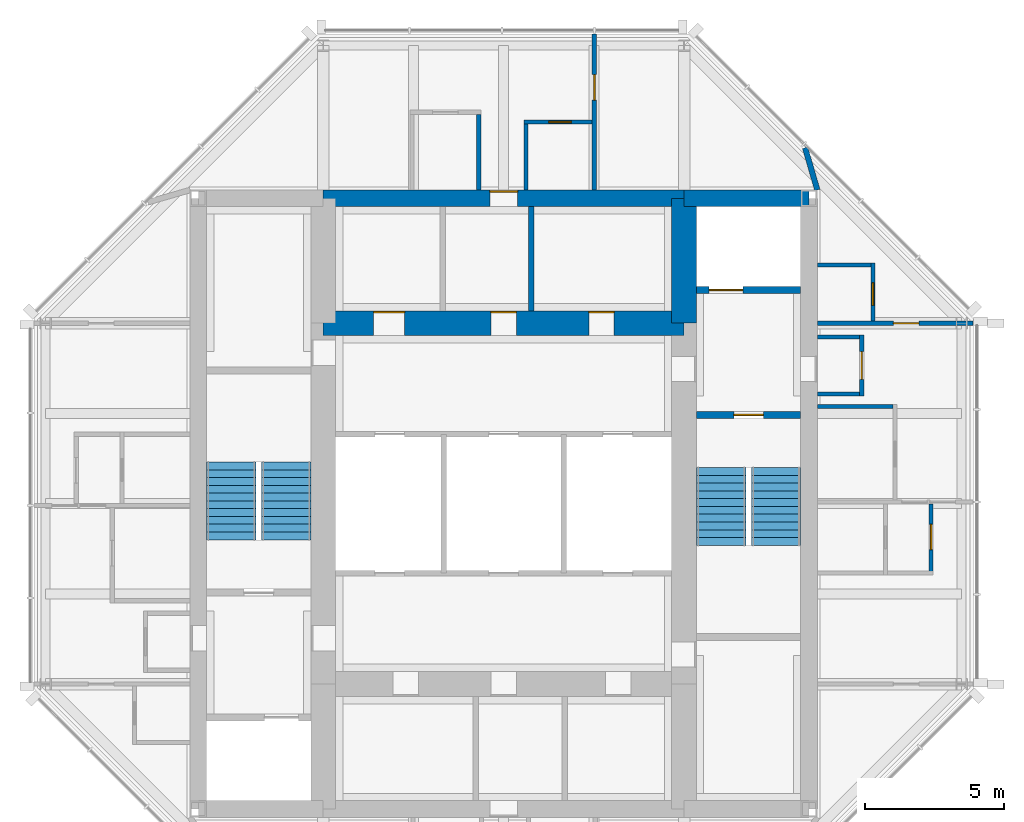
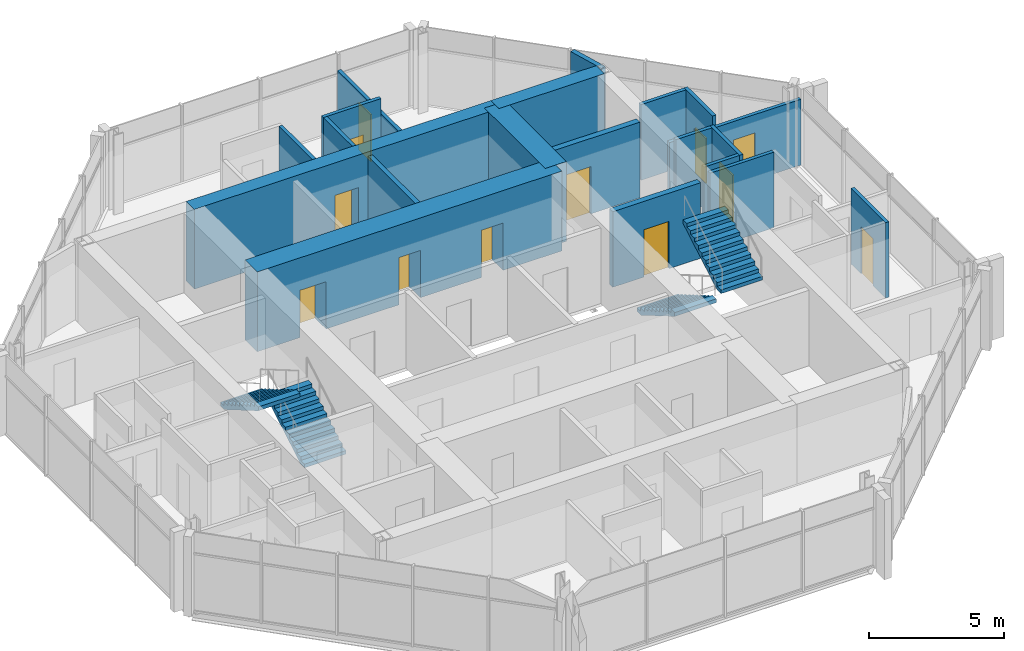
# One storey, part 7 of 9: 20 walls, 12 doors, 4 stair flights, 12 openings, 2 elements without a shape of their own.
"""IFC4 building model written with IfcOpenShell, lengths in metres."""

import ifcopenshell
import ifcopenshell.guid

model = None  # the IFC model being written
_history = None  # IfcOwnerHistory: only IFC2X3 demands one
_inside = {}  # id of a spatial element -> (the spatial element, [elements in it])
_under = {}  # id of a project, library or spatial element -> (it, [spatial elements below it])
_declared = {}  # id of a project -> (the project, [libraries it declares])
_typed = {}  # id of a type object -> (the type object, [elements of that type])
_made_of = {}  # id of a material, layer set ... -> (it, [elements and type objects made of it])


def new_model(schema):
    """Start an empty IFC model of exactly this schema.

    Asked for "IFC4X3", IfcOpenShell would pick the latest addendum, in which some entities
    have other attributes; the version numbers below select the first issue.
    IFC2X3 requires an IfcOwnerHistory on every rooted entity: one is made here for all.
    """
    global model, _history
    if schema == "IFC4X3":
        model = ifcopenshell.file(schema_version=(4, 3, 0, 0))
    else:
        model = ifcopenshell.file(schema=schema)
    _inside.clear()
    _under.clear()
    _declared.clear()
    _typed.clear()
    _made_of.clear()
    _history = None
    if model.schema == "IFC2X3":
        org = make("IfcOrganization", Name="unknown")
        user = make(
            "IfcPersonAndOrganization",
            ThePerson=make("IfcPerson", FamilyName="unknown"),
            TheOrganization=org,
        )
        app = make(
            "IfcApplication",
            ApplicationDeveloper=org,
            Version="unknown",
            ApplicationFullName="unknown",
            ApplicationIdentifier="unknown",
        )
        _history = make(
            "IfcOwnerHistory",
            OwningUser=user,
            OwningApplication=app,
            ChangeAction="ADDED",
            CreationDate=0,
        )
    return model


def make(cls, **values):
    """One entity of the class cls with the attributes given. An attribute that is None is left unset."""
    return model.create_entity(
        cls, **{name: value for name, value in values.items() if value is not None}
    )


def rooted(cls, **values):
    """An entity with a GlobalId (a new one), such as an element, a storey or a relation."""
    return make(cls, GlobalId=ifcopenshell.guid.new(), OwnerHistory=_history, **values)


def si_unit(unit_type, name, prefix=None):
    """IfcSIUnit, for example si_unit("LENGTHUNIT", "METRE", prefix="MILLI")."""
    return make("IfcSIUnit", UnitType=unit_type, Prefix=prefix, Name=name)


def assignment(units):
    """IfcUnitAssignment: the units of a project."""
    return None if units is None else make("IfcUnitAssignment", Units=units)


def point(xyz):
    """IfcCartesianPoint."""
    return None if xyz is None else make("IfcCartesianPoint", Coordinates=xyz)


def direction(xyz):
    """IfcDirection."""
    return None if xyz is None else make("IfcDirection", DirectionRatios=xyz)


def frame(location, z_axis=None, x_axis=None):
    """IfcAxis2Placement3D, a coordinate frame: its origin and axes. An axis left out is left unset."""
    return make(
        "IfcAxis2Placement3D",
        Location=point(location),
        Axis=direction(z_axis),
        RefDirection=direction(x_axis),
    )


def frame_2d(location, x_axis=None):
    """IfcAxis2Placement2D, a coordinate frame in the plane: its origin and x axis."""
    return make(
        "IfcAxis2Placement2D", Location=point(location), RefDirection=direction(x_axis)
    )


def origin():
    """The frame at (0, 0, 0) with its axes left unset."""
    return frame((0.0, 0.0, 0.0))


def place(relative_to, where):
    """IfcLocalPlacement: puts the frame where relative to a parent placement (None: the world)."""
    return make(
        "IfcLocalPlacement", PlacementRelTo=relative_to, RelativePlacement=where
    )


def context(
    kind, dimensions, precision=None, world=None, true_north=None, identifier=None
):
    """IfcGeometricRepresentationContext, for example the 3D "Model" context."""
    return make(
        "IfcGeometricRepresentationContext",
        ContextIdentifier=identifier,
        ContextType=kind,
        CoordinateSpaceDimension=dimensions,
        Precision=precision,
        WorldCoordinateSystem=world,
        TrueNorth=true_north,
    )


def subcontext(parent, identifier, kind, view, scale=None):
    """IfcGeometricRepresentationSubContext, for example "Body" below "Model"."""
    return make(
        "IfcGeometricRepresentationSubContext",
        ContextIdentifier=identifier,
        ContextType=kind,
        ParentContext=parent,
        TargetScale=scale,
        TargetView=view,
    )


def project(units=None, contexts=None):
    """IfcProject with its units and contexts."""
    return rooted(
        "IfcProject",
        Name="project",
        RepresentationContexts=contexts,
        UnitsInContext=assignment(units),
    )


def spatial(cls, under=None, at=None, **own):
    """A site, building, storey or space (cls), placed at a placement, below another one or the project."""
    s = rooted(cls, ObjectPlacement=at, **own)
    if under is not None:
        _under.setdefault(under.id(), (under, []))[1].append(s)
    return s


def polyline(points):
    """IfcPolyline through the points."""
    return make("IfcPolyline", Points=[point(p) for p in points])


def profile(cls, at=None, kind="AREA", **sizes):
    """A parametric profile (cls). Its sizes go by their IFC names, for example OverallWidth=200.0."""
    return make(cls, ProfileType=kind, Position=at, **sizes)


def rectangle(**sizes):
    """IfcRectangleProfileDef."""
    return profile("IfcRectangleProfileDef", **sizes)


def outline(outer, holes=None, kind="AREA"):
    """IfcArbitraryClosedProfileDef: a profile drawn as a closed curve; with holes, ...WithVoids."""
    if holes is None:
        return make("IfcArbitraryClosedProfileDef", ProfileType=kind, OuterCurve=outer)
    return make(
        "IfcArbitraryProfileDefWithVoids",
        ProfileType=kind,
        OuterCurve=outer,
        InnerCurves=holes,
    )


def extrude(swept, where, along, depth):
    """IfcExtrudedAreaSolid: the profile swept, set in the frame where, extruded along a direction by depth."""
    return make(
        "IfcExtrudedAreaSolid",
        SweptArea=swept,
        Position=where,
        ExtrudedDirection=direction(along),
        Depth=depth,
    )


def shape(context_of_items, identifier, shape_type, items):
    """IfcShapeRepresentation: the items that make up one representation, for example the "Body"."""
    return make(
        "IfcShapeRepresentation",
        ContextOfItems=context_of_items,
        RepresentationIdentifier=identifier,
        RepresentationType=shape_type,
        Items=items,
    )


def material(Name=None, Category=None):
    """IfcMaterial."""
    return make("IfcMaterial", Name=Name, Category=Category)


def layer(
    of_material, thickness, ventilated=None, Name=None, Category=None, Priority=None
):
    """IfcMaterialLayer: one layer of a wall or slab, of a material (None: an air gap)."""
    return make(
        "IfcMaterialLayer",
        Material=of_material,
        LayerThickness=thickness,
        IsVentilated=ventilated,
        Name=Name,
        Category=Category,
        Priority=Priority,
    )


def layer_set(layers, Name=None):
    """IfcMaterialLayerSet."""
    return make("IfcMaterialLayerSet", MaterialLayers=layers, LayerSetName=Name)


def made_of(thing, what):
    """Note that an element or type object is made of a material, layer set ...; save() writes the relation."""
    if what is not None:
        _made_of.setdefault(what.id(), (what, []))[1].append(thing)
    return thing


def type_object(cls, material=None, **own):
    """A type object (cls), such as IfcWallType, which elements share."""
    return made_of(rooted(cls, **own), material)


def element(
    cls,
    number,
    at=None,
    inside=None,
    cuts=None,
    type_object=None,
    material=None,
    context=None,
    identifier="Body",
    shape_type=None,
    held_by="IfcProductDefinitionShape",
    body=None,
    shapes=None,
    **own,
):
    """One element of the class cls, such as IfcWall. Its Tag is "e" and its number.

    at: its placement. inside: the storey or other place that contains it. cuts: it is an
    opening in that element (IfcRelVoidsElement). A single representation is given by context,
    identifier, shape_type and body (its items); several are given by shapes. held_by: the class
    of the entity that holds the representations. save() writes the other relations.
    """
    e = rooted(cls, Tag="e%d" % number, ObjectPlacement=at, **own)
    if body is not None:
        shapes = [shape(context, identifier, shape_type, body)]
    if shapes is not None:
        e.Representation = make(held_by, Representations=shapes)
    if inside is not None:
        _inside.setdefault(inside.id(), (inside, []))[1].append(e)
    if cuts is not None:
        rooted(
            "IfcRelVoidsElement", RelatingBuildingElement=cuts, RelatedOpeningElement=e
        )
    if type_object is not None:
        _typed.setdefault(type_object.id(), (type_object, []))[1].append(e)
    return made_of(e, material)


def fill(opening, filler):
    """IfcRelFillsElement: the door or window that sits in an opening."""
    return rooted(
        "IfcRelFillsElement",
        RelatingOpeningElement=opening,
        RelatedBuildingElement=filler,
    )


def aggregate(whole, parts):
    """IfcRelAggregates: a whole, such as a stair, and the parts it consists of."""
    return rooted("IfcRelAggregates", RelatingObject=whole, RelatedObjects=parts)


def save(model, path):
    """Write the relations noted so far, then the file.

    IfcRelAggregates (storeys below a building ...), IfcRelContainedInSpatialStructure (elements
    in a storey), IfcRelDefinesByType, IfcRelAssociatesMaterial and IfcRelDeclares: one each for
    every whole, place, type object, material and project.
    """
    for whole, parts in _under.values():
        aggregate(whole, parts)
    for where, things in _inside.values():
        rooted(
            "IfcRelContainedInSpatialStructure",
            RelatedElements=things,
            RelatingStructure=where,
        )
    for kind, things in _typed.values():
        rooted("IfcRelDefinesByType", RelatedObjects=things, RelatingType=kind)
    for what, things in _made_of.values():
        rooted("IfcRelAssociatesMaterial", RelatedObjects=things, RelatingMaterial=what)
    for by, libraries in _declared.values():
        rooted("IfcRelDeclares", RelatingContext=by, RelatedDefinitions=libraries)
    model.write(path)


model = new_model("IFC4")

# Units and contexts
model_context = context("Model", 3, precision=1e-05, world=origin(), true_north=direction((0.0, 1.0)))
body_context = subcontext(model_context, "Body", "Model", "MODEL_VIEW")
ifc_project = project(units=[si_unit("LENGTHUNIT", "METRE"), si_unit("AREAUNIT", "SQUARE_METRE"), si_unit("VOLUMEUNIT", "CUBIC_METRE"), si_unit("PLANEANGLEUNIT", "RADIAN"), si_unit("MASSUNIT", "GRAM", prefix="KILO")], contexts=[model_context])

# Site, building, storey
site_placement = place(None, origin())
site = spatial("IfcSite", under=ifc_project, at=site_placement, CompositionType="ELEMENT")
building_placement = place(site_placement, origin())
building = spatial("IfcBuilding", under=site, at=building_placement, Name="Trevanion Tower", CompositionType="ELEMENT")
storey_placement = place(building_placement, frame((0.0, 0.0, 277.60009765625)))
storey = spatial("IfcBuildingStorey", under=building, at=storey_placement, Name="L68", CompositionType="ELEMENT", Elevation=277.60009765625)

# Wall
ifc_material_1 = material(Name="Concrete 10,000 psi", Category="concrete")
ifc_layer_1 = layer(ifc_material_1, 0.60009765625)
ifc_layer_set_1 = layer_set([ifc_layer_1], Name="CW1 core wall 600")
wall_type_1 = type_object("IfcWallType", Name="CW1 core wall 600", PredefinedType="SHEAR", material=ifc_layer_set_1)
wall_1_placement = place(storey_placement, frame((11.0, 11.0, 0.0), z_axis=(0.0, 0.0, 1.0), x_axis=(-1.0, 0.0, 0.0)))
element("IfcWall", 1, at=wall_1_placement, inside=storey, type_object=wall_type_1, Name="CW1 CN1 L68", PredefinedType="SHEAR", context=body_context, shape_type="SweptSolid", body=[
    extrude(rectangle(XDim=4.5, YDim=0.60009765625, at=frame_2d((2.25, 0.0))), origin(), (0.0, 0.0, 1.0), 3.599853515625),
])

# Wall, opening, door
wall_2_placement = place(storey_placement, frame((6.5, 11.0, 0.0), z_axis=(0.0, 0.0, 1.0), x_axis=(-1.0, 0.0, 0.0)))
wall_2 = element("IfcWall", 2, at=wall_2_placement, inside=storey, type_object=wall_type_1, Name="CW1 CN2 L68", PredefinedType="SHEAR", context=body_context, shape_type="SweptSolid", body=[
    extrude(rectangle(XDim=13.0, YDim=0.60009765625, at=frame_2d((6.5, 0.0))), origin(), (0.0, 0.0, 1.0), 3.599853515625),
])
opening_1_placement = place(wall_2_placement, frame((6.0, 0.0, 0.0)))
opening_1 = element("IfcOpeningElement", 3, at=opening_1_placement, cuts=wall_2, Name="Opening 68-018", PredefinedType="OPENING", context=body_context, shape_type="SweptSolid", body=[
    extrude(rectangle(XDim=1.0, YDim=2.134033203125, at=frame_2d((0.5, 1.06689453125))), frame((0.0, 0.31005859375, 0.0), z_axis=(0.0, -1.0, 0.0), x_axis=(1.0, 0.0, 0.0)), (0.0, 0.0, 1.0), 0.6201171875),
])
ifc_material_2 = material(Name="Timber veneer on steel frame, fire rated", Category="steel")
door_type_1 = type_object("IfcDoorType", Name="D13 residence entrance door", OperationType="SINGLE_SWING_RIGHT", PredefinedType="DOOR", material=ifc_material_2)
door_1_placement = place(opening_1_placement, origin())
door_1 = element("IfcDoor", 4, at=door_1_placement, inside=storey, type_object=door_type_1, Name="Door 68-018", OperationType="SINGLE_SWING_RIGHT", OverallHeight=2.134033203125, OverallWidth=1.0, PredefinedType="DOOR", context=body_context, shape_type="SweptSolid", body=[
    extrude(rectangle(XDim=1.0, YDim=2.134033203125, at=frame_2d((0.5, 1.06689453125))), frame((0.0, -0.22509765625, 0.0), z_axis=(0.0, -1.0, 0.0), x_axis=(1.0, 0.0, 0.0)), (0.0, 0.0, 1.0), 0.050048828125),
])
fill(opening_1, door_1)

# Wall
ifc_material_3 = material(Name="Concrete 10,000 psi", Category="concrete")
ifc_layer_2 = layer(ifc_material_3, 0.89990234375)
ifc_layer_set_2 = layer_set([ifc_layer_2], Name="CW2 core wall 900")
wall_type_2 = type_object("IfcWallType", Name="CW2 core wall 900", PredefinedType="SHEAR", material=ifc_layer_set_2)
wall_3_placement = place(storey_placement, frame((6.5, 6.5, 0.0), z_axis=(0.0, 0.0, 1.0), x_axis=(0.0, 1.0, 0.0)))
element("IfcWall", 5, at=wall_3_placement, inside=storey, type_object=wall_type_2, Name="CW2 RE3 L68", PredefinedType="SHEAR", context=body_context, shape_type="SweptSolid", body=[
    extrude(rectangle(XDim=4.5, YDim=0.89990234375, at=frame_2d((2.25, 0.0))), origin(), (0.0, 0.0, 1.0), 3.599853515625),
])

# Wall, openings, doors
wall_4_placement = place(storey_placement, frame((6.5, 6.5, 0.0), z_axis=(0.0, 0.0, 1.0), x_axis=(-1.0, 0.0, 0.0)))
wall_4 = element("IfcWall", 6, at=wall_4_placement, inside=storey, type_object=wall_type_2, Name="CW2 RN L68", PredefinedType="SHEAR", context=body_context, shape_type="SweptSolid", body=[
    extrude(rectangle(XDim=13.0, YDim=0.89990234375, at=frame_2d((6.5, 0.0))), origin(), (0.0, 0.0, 1.0), 3.599853515625),
])
opening_2_placement = place(wall_4_placement, frame((6.04248046875, 0.0, 0.0)))
opening_2 = element("IfcOpeningElement", 7, at=opening_2_placement, cuts=wall_4, Name="Opening 68-017", PredefinedType="OPENING", context=body_context, shape_type="SweptSolid", body=[
    extrude(rectangle(XDim=0.9150390625, YDim=2.134033203125, at=frame_2d((0.45751953125, 1.06689453125))), frame((0.0, 0.4599609375, 0.0), z_axis=(0.0, -1.0, 0.0), x_axis=(1.0, 0.0, 0.0)), (0.0, 0.0, 1.0), 0.919921875),
])
opening_3_placement = place(wall_4_placement, frame((10.06591796875, 0.0, 0.0)))
opening_3 = element("IfcOpeningElement", 8, at=opening_3_placement, cuts=wall_4, Name="Opening 68-019", PredefinedType="OPENING", context=body_context, shape_type="SweptSolid", body=[
    extrude(rectangle(XDim=1.117919921875, YDim=2.134033203125, at=frame_2d((0.55908203125, 1.06689453125))), frame((0.0, 0.4599609375, 0.0), z_axis=(0.0, -1.0, 0.0), x_axis=(1.0, 0.0, 0.0)), (0.0, 0.0, 1.0), 0.919921875),
])
opening_4_placement = place(wall_4_placement, frame((2.517578125, 0.0, 0.0)))
opening_4 = element("IfcOpeningElement", 9, at=opening_4_placement, cuts=wall_4, Name="Opening 68-020", PredefinedType="OPENING", context=body_context, shape_type="SweptSolid", body=[
    extrude(rectangle(XDim=0.9150390625, YDim=2.134033203125, at=frame_2d((0.45751953125, 1.06689453125))), frame((0.0, 0.4599609375, 0.0), z_axis=(0.0, -1.0, 0.0), x_axis=(1.0, 0.0, 0.0)), (0.0, 0.0, 1.0), 0.919921875),
])
ifc_material_4 = material(Name="Hollow metal, fire rated", Category="steel")
door_type_2 = type_object("IfcDoorType", Name="D16 refuse room door", OperationType="SINGLE_SWING_RIGHT", PredefinedType="DOOR", material=ifc_material_4)
door_2_placement = place(opening_3_placement, origin())
door_2 = element("IfcDoor", 10, at=door_2_placement, inside=storey, type_object=door_type_2, Name="Door 68-019", OperationType="SINGLE_SWING_RIGHT", OverallHeight=2.134033203125, OverallWidth=1.117919921875, PredefinedType="DOOR", context=body_context, shape_type="SweptSolid", body=[
    extrude(rectangle(XDim=1.117919921875, YDim=2.134033203125, at=frame_2d((0.55908203125, 1.06689453125))), frame((0.0, -0.375, 0.0), z_axis=(0.0, -1.0, 0.0), x_axis=(1.0, 0.0, 0.0)), (0.0, 0.0, 1.0), 0.050048828125),
])
fill(opening_3, door_2)
ifc_material_5 = material(Name="Hollow metal, fire rated", Category="steel")
door_type_3 = type_object("IfcDoorType", Name="D3 fire lift lobby door", OperationType="SINGLE_SWING_RIGHT", PredefinedType="DOOR", material=ifc_material_5)
door_3_placement = place(opening_2_placement, origin())
door_3 = element("IfcDoor", 11, at=door_3_placement, inside=storey, type_object=door_type_3, Name="Door 68-017", OperationType="SINGLE_SWING_RIGHT", OverallHeight=2.134033203125, OverallWidth=0.9150390625, PredefinedType="DOOR", context=body_context, shape_type="SweptSolid", body=[
    extrude(rectangle(XDim=0.9150390625, YDim=2.134033203125, at=frame_2d((0.45751953125, 1.06689453125))), frame((0.0, -0.375, 0.0), z_axis=(0.0, -1.0, 0.0), x_axis=(1.0, 0.0, 0.0)), (0.0, 0.0, 1.0), 0.050048828125),
])
fill(opening_2, door_3)
ifc_material_6 = material(Name="Hollow metal, fire rated", Category="steel")
door_type_4 = type_object("IfcDoorType", Name="D5 service room door", OperationType="SINGLE_SWING_RIGHT", PredefinedType="DOOR", material=ifc_material_6)
door_4_placement = place(opening_4_placement, origin())
door_4 = element("IfcDoor", 12, at=door_4_placement, inside=storey, type_object=door_type_4, Name="Door 68-020", OperationType="SINGLE_SWING_RIGHT", OverallHeight=2.134033203125, OverallWidth=0.9150390625, PredefinedType="DOOR", context=body_context, shape_type="SweptSolid", body=[
    extrude(rectangle(XDim=0.9150390625, YDim=2.134033203125, at=frame_2d((0.45751953125, 1.06689453125))), frame((0.0, -0.375, 0.0), z_axis=(0.0, -1.0, 0.0), x_axis=(1.0, 0.0, 0.0)), (0.0, 0.0, 1.0), 0.050048828125),
])
fill(opening_4, door_4)

# Wall, opening, door
ifc_material_7 = material(Name="Gypsum board on steel studs", Category="steel")
ifc_layer_3 = layer(ifc_material_7, 0.14990234375)
ifc_layer_set_3 = layer_set([ifc_layer_3], Name="PT1 partition 150")
wall_type_3 = type_object("IfcWallType", Name="PT1 partition 150", PredefinedType="PARTITIONING", material=ifc_layer_set_3)
wall_5_placement = place(storey_placement, frame((11.300048828125, 6.5, 0.0), z_axis=(0.0, 0.0, 1.0), x_axis=(1.0, 0.0, 0.0)))
wall_5 = element("IfcWall", 13, at=wall_5_placement, inside=storey, type_object=wall_type_3, Name="PT1 L68 REC2", PredefinedType="PARTITIONING", context=body_context, shape_type="SweptSolid", body=[
    extrude(rectangle(XDim=5.614990234375, YDim=0.14990234375, at=frame_2d((2.8076171875, 0.0))), origin(), (0.0, 0.0, 1.0), 2.965576171875),
])
opening_5_placement = place(wall_5_placement, frame((2.742431640625, 0.0, 0.0)))
opening_5 = element("IfcOpeningElement", 14, at=opening_5_placement, cuts=wall_5, Name="Opening 68-033", PredefinedType="OPENING", context=body_context, shape_type="SweptSolid", body=[
    extrude(rectangle(XDim=0.9150390625, YDim=2.134033203125, at=frame_2d((0.45751953125, 1.06689453125))), frame((0.0, 0.0849609375, 0.0), z_axis=(0.0, -1.0, 0.0), x_axis=(1.0, 0.0, 0.0)), (0.0, 0.0, 1.0), 0.169921875),
])
ifc_material_8 = material(Name="Timber veneer, solid core", Category="wood")
door_type_5 = type_object("IfcDoorType", Name="D1 office and meeting room door", OperationType="SINGLE_SWING_LEFT", PredefinedType="DOOR", material=ifc_material_8)
door_5_placement = place(opening_5_placement, origin())
door_5 = element("IfcDoor", 15, at=door_5_placement, inside=storey, type_object=door_type_5, Name="Door 68-033", OperationType="SINGLE_SWING_LEFT", OverallHeight=2.134033203125, OverallWidth=0.9150390625, PredefinedType="DOOR", context=body_context, shape_type="SweptSolid", body=[
    extrude(rectangle(XDim=0.9150390625, YDim=2.134033203125, at=frame_2d((0.45751953125, 1.06689453125))), frame((0.0, 0.02490234375, 0.0), z_axis=(0.0, -1.0, 0.0), x_axis=(1.0, 0.0, 0.0)), (0.0, 0.0, 1.0), 0.050048828125),
])
fill(opening_5, door_5)

# Walls
for number, where, z_axis, x_axis, name in (
    (16, (11.300048828125, 3.949951171875, 0.0), (0.0, 0.0, 1.0), (1.0, 0.0, 0.0), "PT1 L68 REEA"),
    (17, (11.300048828125, 6.0, 0.0), (0.0, 0.0, 1.0), (1.0, 0.0, 0.0), "PT1 L68 REEB"),
):
    element("IfcWall", number, at=place(storey_placement, frame(where, z_axis=z_axis, x_axis=x_axis)), inside=storey, type_object=wall_type_3, Name=name, PredefinedType="PARTITIONING", context=body_context, shape_type="SweptSolid", body=[
        extrude(rectangle(XDim=1.52490234375, YDim=0.14990234375, at=frame_2d((0.762451171875, 0.0))), origin(), (0.0, 0.0, 1.0), 3.409912109375),
    ])
wall_6_placement = place(storey_placement, frame((11.300048828125, 3.5, 0.0), z_axis=(0.0, 0.0, 1.0), x_axis=(1.0, 0.0, 0.0)))
element("IfcWall", 18, at=wall_6_placement, inside=storey, type_object=wall_type_3, Name="PT1 L68 REKB", PredefinedType="PARTITIONING", context=body_context, shape_type="SweptSolid", body=[
    extrude(rectangle(XDim=2.724853515625, YDim=0.14990234375, at=frame_2d((1.3623046875, 0.0))), origin(), (0.0, 0.0, 1.0), 3.409912109375),
])

# Wall, opening, door
wall_7_placement = place(storey_placement, frame((13.300048828125, 6.574951171875, 0.0), z_axis=(0.0, 0.0, 1.0), x_axis=(0.0, 1.0, 0.0)))
wall_7 = element("IfcWall", 19, at=wall_7_placement, inside=storey, type_object=wall_type_3, Name="PT1 L68 REWF", PredefinedType="PARTITIONING", context=body_context, shape_type="SweptSolid", body=[
    extrude(rectangle(XDim=2.10009765625, YDim=0.14990234375, at=frame_2d((1.050048828125, 0.0))), origin(), (0.0, 0.0, 1.0), 3.409912109375),
])
opening_6_placement = place(wall_7_placement, frame((0.568603515625, 0.0, 0.0)))
opening_6 = element("IfcOpeningElement", 20, at=opening_6_placement, cuts=wall_7, Name="Opening 68-027", PredefinedType="OPENING", context=body_context, shape_type="SweptSolid", body=[
    extrude(rectangle(XDim=0.81298828125, YDim=2.031982421875, at=frame_2d((0.406494140625, 1.01611328125))), frame((0.0, 0.0849609375, 0.0), z_axis=(0.0, -1.0, 0.0), x_axis=(1.0, 0.0, 0.0)), (0.0, 0.0, 1.0), 0.169921875),
])
ifc_material_9 = material(Name="Timber veneer", Category="wood")
door_type_6 = type_object("IfcDoorType", Name="D14 residence bathroom door", OperationType="SINGLE_SWING_LEFT", PredefinedType="DOOR", material=ifc_material_9)
door_6_placement = place(opening_6_placement, origin())
door_6 = element("IfcDoor", 21, at=door_6_placement, inside=storey, type_object=door_type_6, Name="Door 68-027", OperationType="SINGLE_SWING_LEFT", OverallHeight=2.031982421875, OverallWidth=0.81298828125, PredefinedType="DOOR", context=body_context, shape_type="SweptSolid", body=[
    extrude(rectangle(XDim=0.81298828125, YDim=2.031982421875, at=frame_2d((0.406494140625, 1.01611328125))), frame((0.0, 0.02490234375, 0.0), z_axis=(0.0, -1.0, 0.0), x_axis=(1.0, 0.0, 0.0)), (0.0, 0.0, 1.0), 0.050048828125),
])
fill(opening_6, door_6)

# Wall
wall_8_placement = place(storey_placement, frame((11.300048828125, 8.60009765625, 0.0), z_axis=(0.0, 0.0, 1.0), x_axis=(1.0, 0.0, 0.0)))
element("IfcWall", 22, at=wall_8_placement, inside=storey, type_object=wall_type_3, Name="PT1 L68 REWB", PredefinedType="PARTITIONING", context=body_context, shape_type="SweptSolid", body=[
    extrude(rectangle(XDim=1.925048828125, YDim=0.14990234375, at=frame_2d((0.96240234375, 0.0))), origin(), (0.0, 0.0, 1.0), 3.409912109375),
])

# Wall, opening, door
wall_9_placement = place(storey_placement, frame((15.39990234375, -0.010009765625, 0.0), z_axis=(0.0, 0.0, 1.0), x_axis=(0.0, -1.0, 0.0)))
wall_9 = element("IfcWall", 23, at=wall_9_placement, inside=storey, type_object=wall_type_3, Name="PT1 L68 REHX", PredefinedType="PARTITIONING", context=body_context, shape_type="SweptSolid", body=[
    extrude(rectangle(XDim=2.56494140625, YDim=0.14990234375, at=frame_2d((1.282470703125, 0.0))), origin(), (0.0, 0.0, 1.0), 3.409912109375),
])
opening_7_placement = place(wall_9_placement, frame((0.732421875, 0.0, 0.0)))
opening_7 = element("IfcOpeningElement", 24, at=opening_7_placement, cuts=wall_9, Name="Opening 68-030", PredefinedType="OPENING", context=body_context, shape_type="SweptSolid", body=[
    extrude(rectangle(XDim=0.9150390625, YDim=2.134033203125, at=frame_2d((0.45751953125, 1.06689453125))), frame((0.0, 0.0849609375, 0.0), z_axis=(0.0, -1.0, 0.0), x_axis=(1.0, 0.0, 0.0)), (0.0, 0.0, 1.0), 0.169921875),
])
door_7_placement = place(opening_7_placement, origin())
door_7 = element("IfcDoor", 25, at=door_7_placement, inside=storey, type_object=door_type_5, Name="Door 68-030", OperationType="SINGLE_SWING_LEFT", OverallHeight=2.134033203125, OverallWidth=0.9150390625, PredefinedType="DOOR", context=body_context, shape_type="SweptSolid", body=[
    extrude(rectangle(XDim=0.9150390625, YDim=2.134033203125, at=frame_2d((0.45751953125, 1.06689453125))), frame((0.0, 0.02490234375, 0.0), z_axis=(0.0, -1.0, 0.0), x_axis=(1.0, 0.0, 0.0)), (0.0, 0.0, 1.0), 0.050048828125),
])
fill(opening_7, door_7)

wall_10_placement = place(storey_placement, frame((3.26611328125, 11.300048828125, 0.0), z_axis=(0.0, 0.0, 1.0), x_axis=(0.0, 1.0, 0.0)))
wall_10 = element("IfcWall", 26, at=wall_10_placement, inside=storey, type_object=wall_type_3, Name="PT1 L68 RNC0", PredefinedType="PARTITIONING", context=body_context, shape_type="SweptSolid", body=[
    extrude(rectangle(XDim=5.614990234375, YDim=0.14990234375, at=frame_2d((2.8076171875, 0.0))), origin(), (0.0, 0.0, 1.0), 2.708984375),
])
opening_8_placement = place(wall_10_placement, frame((3.242431640625, 0.0, 0.0)))
opening_8 = element("IfcOpeningElement", 27, at=opening_8_placement, cuts=wall_10, Name="Opening 68-036", PredefinedType="OPENING", context=body_context, shape_type="SweptSolid", body=[
    extrude(rectangle(XDim=0.9150390625, YDim=2.134033203125, at=frame_2d((0.45751953125, 1.06689453125))), frame((0.0, 0.0849609375, 0.0), z_axis=(0.0, -1.0, 0.0), x_axis=(1.0, 0.0, 0.0)), (0.0, 0.0, 1.0), 0.169921875),
])
door_8_placement = place(opening_8_placement, origin())
door_8 = element("IfcDoor", 28, at=door_8_placement, inside=storey, type_object=door_type_5, Name="Door 68-036", OperationType="SINGLE_SWING_LEFT", OverallHeight=2.134033203125, OverallWidth=0.9150390625, PredefinedType="DOOR", context=body_context, shape_type="SweptSolid", body=[
    extrude(rectangle(XDim=0.9150390625, YDim=2.134033203125, at=frame_2d((0.45751953125, 1.06689453125))), frame((0.0, 0.02490234375, 0.0), z_axis=(0.0, -1.0, 0.0), x_axis=(1.0, 0.0, 0.0)), (0.0, 0.0, 1.0), 0.050048828125),
])
fill(opening_8, door_8)

# Wall
wall_11_placement = place(storey_placement, frame((-0.89990234375, 11.300048828125, 0.0), z_axis=(0.0, 0.0, 1.0), x_axis=(0.0, 1.0, 0.0)))
element("IfcWall", 29, at=wall_11_placement, inside=storey, type_object=wall_type_3, Name="PT1 L68 RNKA", PredefinedType="PARTITIONING", context=body_context, shape_type="SweptSolid", body=[
    extrude(rectangle(XDim=2.724853515625, YDim=0.14990234375, at=frame_2d((1.3623046875, 0.0))), origin(), (0.0, 0.0, 1.0), 3.409912109375),
])

# Wall, opening, door
wall_12_placement = place(storey_placement, frame((3.19091796875, 13.75, 0.0), z_axis=(0.0, 0.0, 1.0), x_axis=(-1.0, 0.0, 0.0)))
wall_12 = element("IfcWall", 30, at=wall_12_placement, inside=storey, type_object=wall_type_3, Name="PT1 L68 RNTF", PredefinedType="PARTITIONING", context=body_context, shape_type="SweptSolid", body=[
    extrude(rectangle(XDim=2.4658203125, YDim=0.14990234375, at=frame_2d((1.23291015625, 0.0))), origin(), (0.0, 0.0, 1.0), 3.409912109375),
])
opening_9_placement = place(wall_12_placement, frame((0.75146484375, 0.0, 0.0)))
opening_9 = element("IfcOpeningElement", 31, at=opening_9_placement, cuts=wall_12, Name="Opening 68-035", PredefinedType="OPENING", context=body_context, shape_type="SweptSolid", body=[
    extrude(rectangle(XDim=0.81298828125, YDim=2.031982421875, at=frame_2d((0.406494140625, 1.01611328125))), frame((0.0, 0.0849609375, 0.0), z_axis=(0.0, -1.0, 0.0), x_axis=(1.0, 0.0, 0.0)), (0.0, 0.0, 1.0), 0.169921875),
])
door_9_placement = place(opening_9_placement, origin())
door_9 = element("IfcDoor", 32, at=door_9_placement, inside=storey, type_object=door_type_6, Name="Door 68-035", OperationType="SINGLE_SWING_LEFT", OverallHeight=2.031982421875, OverallWidth=0.81298828125, PredefinedType="DOOR", context=body_context, shape_type="SweptSolid", body=[
    extrude(rectangle(XDim=0.81298828125, YDim=2.031982421875, at=frame_2d((0.406494140625, 1.01611328125))), frame((0.0, 0.02490234375, 0.0), z_axis=(0.0, -1.0, 0.0), x_axis=(1.0, 0.0, 0.0)), (0.0, 0.0, 1.0), 0.050048828125),
])
fill(opening_9, door_9)

# Wall
wall_13_placement = place(storey_placement, frame((0.800048828125, 11.300048828125, 0.0), z_axis=(0.0, 0.0, 1.0), x_axis=(0.0, 1.0, 0.0)))
element("IfcWall", 33, at=wall_13_placement, inside=storey, type_object=wall_type_3, Name="PT1 L68 RNTB", PredefinedType="PARTITIONING", context=body_context, shape_type="SweptSolid", body=[
    extrude(rectangle(XDim=2.375, YDim=0.14990234375, at=frame_2d((1.1875, 0.0))), origin(), (0.0, 0.0, 1.0), 3.409912109375),
])

# Wall, opening, door
ifc_material_10 = material(Name="Gypsum board on steel studs", Category="steel")
ifc_layer_4 = layer(ifc_material_10, 0.14990234375)
ifc_layer_set_4 = layer_set([ifc_layer_4], Name="PT1 partition 150 1 HR")
wall_type_4 = type_object("IfcWallType", Name="PT1 partition 150 1 HR", PredefinedType="PARTITIONING", material=ifc_layer_set_4)
wall_14_placement = place(storey_placement, frame((12.89990234375, 3.875, 0.0), z_axis=(0.0, 0.0, 1.0), x_axis=(0.0, 1.0, 0.0)))
wall_14 = element("IfcWall", 34, at=wall_14_placement, inside=storey, type_object=wall_type_4, Name="PT1 L68 REEF", PredefinedType="PARTITIONING", context=body_context, shape_type="SweptSolid", body=[
    extrude(rectangle(XDim=2.199951171875, YDim=0.14990234375, at=frame_2d((1.10009765625, 0.0))), origin(), (0.0, 0.0, 1.0), 3.409912109375),
])
opening_10_placement = place(wall_14_placement, frame((0.60009765625, 0.0, 0.0)))
opening_10 = element("IfcOpeningElement", 35, at=opening_10_placement, cuts=wall_14, Name="Opening 68-025", PredefinedType="OPENING", context=body_context, shape_type="SweptSolid", body=[
    extrude(rectangle(XDim=1.0, YDim=2.134033203125, at=frame_2d((0.5, 1.06689453125))), frame((0.0, 0.0849609375, 0.0), z_axis=(0.0, -1.0, 0.0), x_axis=(1.0, 0.0, 0.0)), (0.0, 0.0, 1.0), 0.169921875),
])
door_10_placement = place(opening_10_placement, origin())
door_10 = element("IfcDoor", 36, at=door_10_placement, inside=storey, type_object=door_type_1, Name="Door 68-025", OperationType="SINGLE_SWING_RIGHT", OverallHeight=2.134033203125, OverallWidth=1.0, PredefinedType="DOOR", context=body_context, shape_type="SweptSolid", body=[
    extrude(rectangle(XDim=1.0, YDim=2.134033203125, at=frame_2d((0.5, 1.06689453125))), frame((0.0, 0.02490234375, 0.0), z_axis=(0.0, -1.0, 0.0), x_axis=(1.0, 0.0, 0.0)), (0.0, 0.0, 1.0), 0.050048828125),
])
fill(opening_10, door_10)

# Walls
ifc_material_11 = material(Name="Concrete masonry, grouted", Category="masonry")
ifc_layer_5 = layer(ifc_material_11, 0.199951171875)
ifc_layer_set_5 = layer_set([ifc_layer_5], Name="PT2 partition 200 1 HR")
wall_type_5 = type_object("IfcWallType", Name="PT2 partition 200 1 HR", PredefinedType="PARTITIONING", material=ifc_layer_set_5)
wall_15_placement = place(storey_placement, frame((1.0, 6.949951171875, 0.0), z_axis=(0.0, 0.0, 1.0), x_axis=(0.0, 1.0, 0.0)))
element("IfcWall", 37, at=wall_15_placement, inside=storey, type_object=wall_type_5, Name="PT2 L68 CNP2", PredefinedType="PARTITIONING", context=body_context, shape_type="SweptSolid", body=[
    extrude(rectangle(XDim=3.75, YDim=0.199951171875, at=frame_2d((1.875, 0.0))), origin(), (0.0, 0.0, 1.0), 3.409912109375),
])
wall_16_placement = place(storey_placement, frame((11.300048828125, 11.300048828125, 0.0), z_axis=(0.0, 0.0, 1.0), x_axis=(-0.278099250491, 0.960552344683, 0.0)))
element("IfcWall", 38, at=wall_16_placement, inside=storey, type_object=wall_type_5, Name="PT2 L68 UB0", PredefinedType="PARTITIONING", context=body_context, shape_type="SweptSolid", body=[
    extrude(rectangle(XDim=1.583740234375, YDim=0.199951171875, at=frame_2d((0.7919921875, 0.0))), origin(), (0.0, 0.0, 1.0), 3.409912109375),
])

# Wall, opening, door
ifc_material_12 = material(Name="Concrete masonry, grouted, two-hour", Category="masonry")
ifc_layer_6 = layer(ifc_material_12, 0.25)
ifc_layer_set_6 = layer_set([ifc_layer_6], Name="PT3 partition 250 2 HR")
wall_type_6 = type_object("IfcWallType", Name="PT3 partition 250 2 HR", PredefinedType="PARTITIONING", material=ifc_layer_set_6)
wall_17_placement = place(storey_placement, frame((6.949951171875, 7.699951171875, 0.0), z_axis=(0.0, 0.0, 1.0), x_axis=(1.0, 0.0, 0.0)))
wall_17 = element("IfcWall", 39, at=wall_17_placement, inside=storey, type_object=wall_type_6, Name="PT3 L68 EP3", PredefinedType="PARTITIONING", context=body_context, shape_type="SweptSolid", body=[
    extrude(rectangle(XDim=3.75, YDim=0.25, at=frame_2d((1.875, 0.0))), origin(), (0.0, 0.0, 1.0), 3.409912109375),
])
opening_11_placement = place(wall_17_placement, frame((0.449951171875, 0.0, 0.0)))
opening_11 = element("IfcOpeningElement", 40, at=opening_11_placement, cuts=wall_17, Name="Opening 68-007", PredefinedType="OPENING", context=body_context, shape_type="SweptSolid", body=[
    extrude(rectangle(XDim=1.218994140625, YDim=2.134033203125, at=frame_2d((0.609375, 1.06689453125))), frame((0.0, 0.135009765625, 0.0), z_axis=(0.0, -1.0, 0.0), x_axis=(1.0, 0.0, 0.0)), (0.0, 0.0, 1.0), 0.27001953125),
])
ifc_material_13 = material(Name="Stainless steel, fire rated", Category="steel")
door_type_7 = type_object("IfcDoorType", Name="LD2 fire service lift landing door", OperationType="SLIDING_TO_LEFT", PredefinedType="DOOR", material=ifc_material_13)
door_11_placement = place(opening_11_placement, origin())
door_11 = element("IfcDoor", 41, at=door_11_placement, inside=storey, type_object=door_type_7, Name="Door 68-007", OperationType="SLIDING_TO_LEFT", OverallHeight=2.134033203125, OverallWidth=1.218994140625, PredefinedType="DOOR", context=body_context, shape_type="SweptSolid", body=[
    extrude(rectangle(XDim=1.218994140625, YDim=2.134033203125, at=frame_2d((0.609375, 1.06689453125))), frame((0.0, 0.02490234375, 0.0), z_axis=(0.0, -1.0, 0.0), x_axis=(1.0, 0.0, 0.0)), (0.0, 0.0, 1.0), 0.050048828125),
])
fill(opening_11, door_11)

ifc_material_14 = material(Name="Reinforced masonry, fully grouted", Category="masonry")
ifc_layer_7 = layer(ifc_material_14, 0.25)
ifc_layer_set_7 = layer_set([ifc_layer_7], Name="SW1 stair shaft wall 250")
wall_type_7 = type_object("IfcWallType", Name="SW1 stair shaft wall 250", PredefinedType="SOLIDWALL", material=ifc_layer_set_7)
wall_18_placement = place(storey_placement, frame((6.949951171875, 3.199951171875, 0.0), z_axis=(0.0, 0.0, 1.0), x_axis=(1.0, 0.0, 0.0)))
wall_18 = element("IfcWall", 42, at=wall_18_placement, inside=storey, type_object=wall_type_7, Name="SW1 L68 EP2", PredefinedType="SOLIDWALL", context=body_context, shape_type="SweptSolid", body=[
    extrude(rectangle(XDim=3.75, YDim=0.25, at=frame_2d((1.875, 0.0))), origin(), (0.0, 0.0, 1.0), 3.409912109375),
])
opening_12_placement = place(wall_18_placement, frame((1.341552734375, 0.0, 0.0)))
opening_12 = element("IfcOpeningElement", 43, at=opening_12_placement, cuts=wall_18, Name="Opening 68-005", PredefinedType="OPENING", context=body_context, shape_type="SweptSolid", body=[
    extrude(rectangle(XDim=1.06689453125, YDim=2.134033203125, at=frame_2d((0.533447265625, 1.06689453125))), frame((0.0, 0.135009765625, 0.0), z_axis=(0.0, -1.0, 0.0), x_axis=(1.0, 0.0, 0.0)), (0.0, 0.0, 1.0), 0.27001953125),
])
ifc_material_15 = material(Name="Hollow metal, fire rated", Category="steel")
door_type_8 = type_object("IfcDoorType", Name="D2 exit stair door", OperationType="SINGLE_SWING_LEFT", PredefinedType="DOOR", material=ifc_material_15)
door_12_placement = place(opening_12_placement, origin())
door_12 = element("IfcDoor", 44, at=door_12_placement, inside=storey, type_object=door_type_8, Name="Door 68-005", OperationType="SINGLE_SWING_LEFT", OverallHeight=2.134033203125, OverallWidth=1.06689453125, PredefinedType="DOOR", context=body_context, shape_type="SweptSolid", body=[
    extrude(rectangle(XDim=1.06689453125, YDim=2.134033203125, at=frame_2d((0.533447265625, 1.06689453125))), frame((0.0, 0.02490234375, 0.0), z_axis=(0.0, -1.0, 0.0), x_axis=(1.0, 0.0, 0.0)), (0.0, 0.0, 1.0), 0.050048828125),
])
fill(opening_12, door_12)

# Stair, stair flights
ifc_material_16 = material(Name="Concrete 5,000 psi on steel stringers", Category="concrete")
stair_type = type_object("IfcStairType", Name="ST stair", PredefinedType="HALF_TURN_STAIR", material=ifc_material_16)
stair_1_placement = place(storey_placement, origin())
stair_1 = element("IfcStair", 45, at=stair_1_placement, inside=storey, type_object=stair_type, Name="ST1 L68", PredefinedType="HALF_TURN_STAIR")
ifc_material_17 = material(Name="Concrete 5,000 psi in steel pan", Category="concrete")
stair_flight_type = type_object("IfcStairFlightType", Name="STF stair flight", PredefinedType="STRAIGHT", material=ifc_material_17)
stair_flight_1_placement = place(storey_placement, frame((7.83740234375, 1.300048828125, 0.0), z_axis=(0.0, 0.0, 1.0), x_axis=(0.0, -1.0, 0.0)))
stair_flight_1 = element("IfcStairFlight", 46, at=stair_flight_1_placement, type_object=stair_flight_type, Name="ST1 flight 1", NumberOfRisers=11, NumberOfTreads=10, PredefinedType="STRAIGHT", RiserHeight=0.163636364, TreadLength=0.28, context=body_context, shape_type="SweptSolid", body=[
    extrude(outline(polyline([(0.0, 0.0), (0.0, 0.16357421875), (0.280029296875, 0.16357421875), (0.280029296875, 0.327392578125), (0.56005859375, 0.327392578125), (0.56005859375, 0.490966796875), (0.840087890625, 0.490966796875), (0.840087890625, 0.654541015625), (1.1201171875, 0.654541015625), (1.1201171875, 0.818115234375), (1.39990234375, 0.818115234375), (1.39990234375, 0.98193359375), (1.679931640625, 0.98193359375), (1.679931640625, 1.1455078125), (1.9599609375, 1.1455078125), (1.9599609375, 1.30908203125), (2.239990234375, 1.30908203125), (2.239990234375, 1.47265625), (2.52001953125, 1.47265625), (2.52001953125, 1.636474609375), (2.800048828125, 1.636474609375), (2.800048828125, 1.800048828125), (2.800048828125, 1.462646484375), (0.297119140625, 0.0), (0.0, 0.0)])), frame((0.0, 0.887451171875, 0.0), z_axis=(0.0, -1.0, 0.0), x_axis=(1.0, 0.0, 0.0)), (0.0, 0.0, 1.0), 1.77490234375),
])
stair_flight_2_placement = place(storey_placement, frame((9.8125, -1.5, 1.7998046875), z_axis=(0.0, 0.0, 1.0), x_axis=(0.0, 1.0, 0.0)))
stair_flight_2 = element("IfcStairFlight", 47, at=stair_flight_2_placement, type_object=stair_flight_type, Name="ST1 flight 2", NumberOfRisers=11, NumberOfTreads=10, PredefinedType="STRAIGHT", RiserHeight=0.163636364, TreadLength=0.28, context=body_context, shape_type="SweptSolid", body=[
    extrude(outline(polyline([(0.0, 0.0), (0.0, 0.16357421875), (0.280029296875, 0.16357421875), (0.280029296875, 0.327392578125), (0.56005859375, 0.327392578125), (0.56005859375, 0.490966796875), (0.840087890625, 0.490966796875), (0.840087890625, 0.654541015625), (1.1201171875, 0.654541015625), (1.1201171875, 0.818115234375), (1.39990234375, 0.818115234375), (1.39990234375, 0.98193359375), (1.679931640625, 0.98193359375), (1.679931640625, 1.1455078125), (1.9599609375, 1.1455078125), (1.9599609375, 1.30908203125), (2.239990234375, 1.30908203125), (2.239990234375, 1.47265625), (2.52001953125, 1.47265625), (2.52001953125, 1.636474609375), (2.800048828125, 1.636474609375), (2.800048828125, 1.800048828125), (2.800048828125, 1.462646484375), (0.297119140625, 0.0), (0.0, 0.0)])), frame((0.0, 0.887451171875, 0.0), z_axis=(0.0, -1.0, 0.0), x_axis=(1.0, 0.0, 0.0)), (0.0, 0.0, 1.0), 1.77490234375),
])
aggregate(stair_1, [stair_flight_1, stair_flight_2])

stair_2_placement = place(storey_placement, origin())
stair_2 = element("IfcStair", 48, at=stair_2_placement, inside=storey, type_object=stair_type, Name="ST2 L68", PredefinedType="HALF_TURN_STAIR")
stair_flight_3_placement = place(storey_placement, frame((-7.83740234375, -1.300048828125, 0.0), z_axis=(0.0, 0.0, 1.0), x_axis=(0.0, 1.0, 0.0)))
stair_flight_3 = element("IfcStairFlight", 49, at=stair_flight_3_placement, type_object=stair_flight_type, Name="ST2 flight 1", NumberOfRisers=11, NumberOfTreads=10, PredefinedType="STRAIGHT", RiserHeight=0.163636364, TreadLength=0.28, context=body_context, shape_type="SweptSolid", body=[
    extrude(outline(polyline([(0.0, 0.0), (0.0, 0.16357421875), (0.280029296875, 0.16357421875), (0.280029296875, 0.327392578125), (0.56005859375, 0.327392578125), (0.56005859375, 0.490966796875), (0.840087890625, 0.490966796875), (0.840087890625, 0.654541015625), (1.1201171875, 0.654541015625), (1.1201171875, 0.818115234375), (1.39990234375, 0.818115234375), (1.39990234375, 0.98193359375), (1.679931640625, 0.98193359375), (1.679931640625, 1.1455078125), (1.9599609375, 1.1455078125), (1.9599609375, 1.30908203125), (2.239990234375, 1.30908203125), (2.239990234375, 1.47265625), (2.52001953125, 1.47265625), (2.52001953125, 1.636474609375), (2.800048828125, 1.636474609375), (2.800048828125, 1.800048828125), (2.800048828125, 1.462646484375), (0.297119140625, 0.0), (0.0, 0.0)])), frame((0.0, 0.887451171875, 0.0), z_axis=(0.0, -1.0, 0.0), x_axis=(1.0, 0.0, 0.0)), (0.0, 0.0, 1.0), 1.77490234375),
])
stair_flight_4_placement = place(storey_placement, frame((-9.8125, 1.5, 1.7998046875), z_axis=(0.0, 0.0, 1.0), x_axis=(0.0, -1.0, 0.0)))
stair_flight_4 = element("IfcStairFlight", 50, at=stair_flight_4_placement, type_object=stair_flight_type, Name="ST2 flight 2", NumberOfRisers=11, NumberOfTreads=10, PredefinedType="STRAIGHT", RiserHeight=0.163636364, TreadLength=0.28, context=body_context, shape_type="SweptSolid", body=[
    extrude(outline(polyline([(0.0, 0.0), (0.0, 0.16357421875), (0.280029296875, 0.16357421875), (0.280029296875, 0.327392578125), (0.56005859375, 0.327392578125), (0.56005859375, 0.490966796875), (0.840087890625, 0.490966796875), (0.840087890625, 0.654541015625), (1.1201171875, 0.654541015625), (1.1201171875, 0.818115234375), (1.39990234375, 0.818115234375), (1.39990234375, 0.98193359375), (1.679931640625, 0.98193359375), (1.679931640625, 1.1455078125), (1.9599609375, 1.1455078125), (1.9599609375, 1.30908203125), (2.239990234375, 1.30908203125), (2.239990234375, 1.47265625), (2.52001953125, 1.47265625), (2.52001953125, 1.636474609375), (2.800048828125, 1.636474609375), (2.800048828125, 1.800048828125), (2.800048828125, 1.462646484375), (0.297119140625, 0.0), (0.0, 0.0)])), frame((0.0, 0.887451171875, 0.0), z_axis=(0.0, -1.0, 0.0), x_axis=(1.0, 0.0, 0.0)), (0.0, 0.0, 1.0), 1.77490234375),
])
aggregate(stair_2, [stair_flight_3, stair_flight_4])

save(model, "model.ifc")
